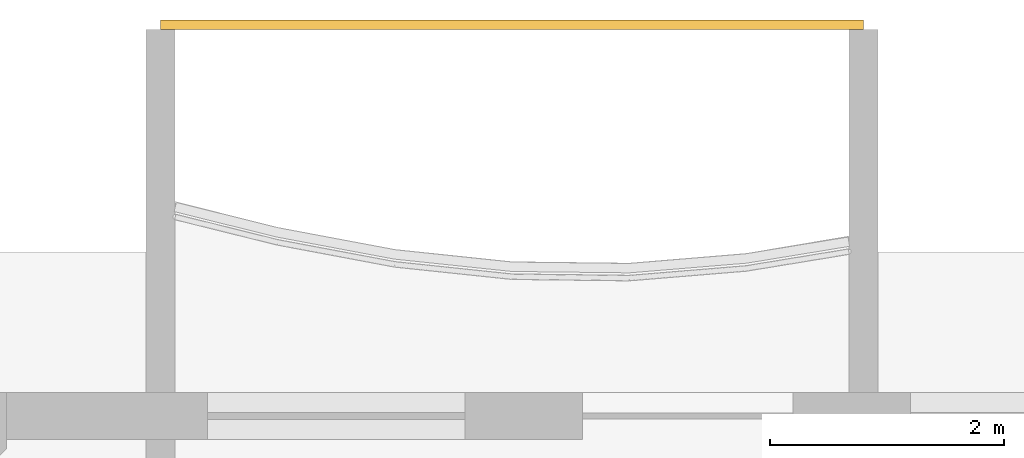
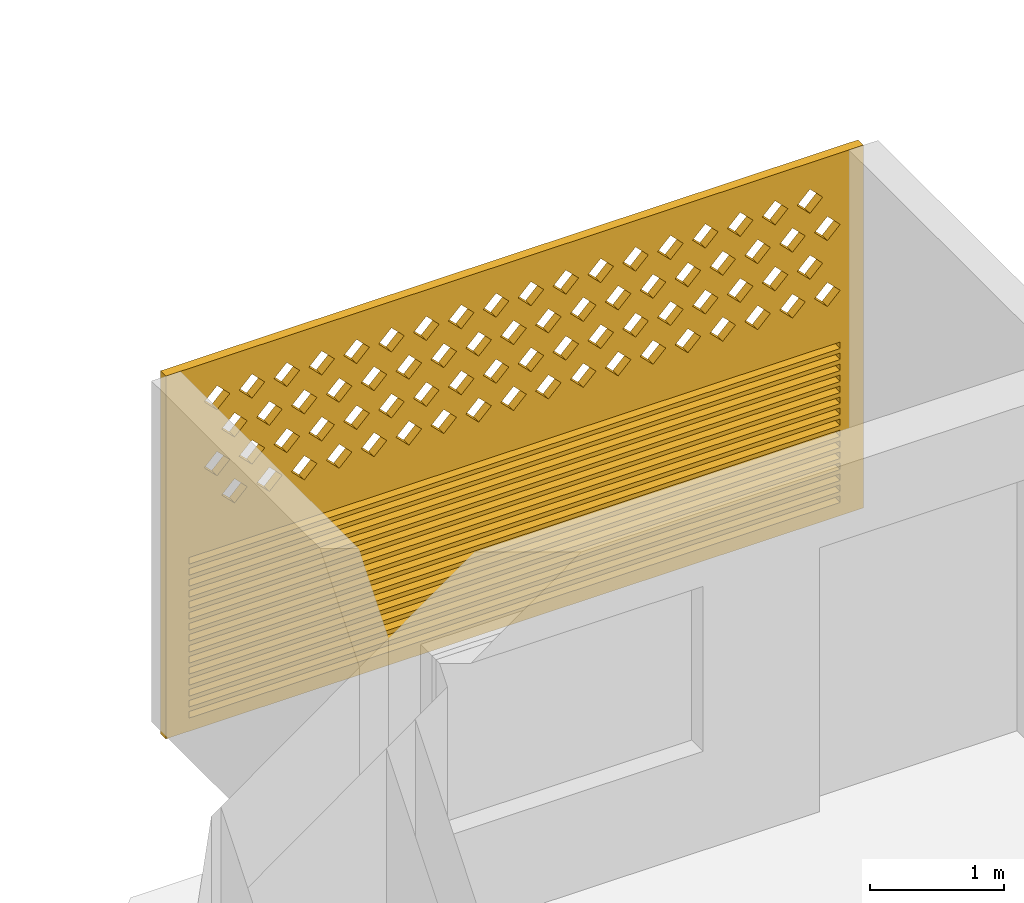
# One storey, part 16 of 26: 1 covering.
"""IFC4 building model written with IfcOpenShell, lengths in metres."""

from ifc_helpers import new_model, si_unit, direction, frame, origin, place, context, subcontext, project, spatial, polyline, outline, extrude, source, transform, mapped, material, material_profile, profile_set, type_object, element, save


model = new_model("IFC4")

# Units and contexts
model_context = context("Model", 3, precision=1e-05, world=origin(), true_north=direction((0.0, 1.0)))
body_context = subcontext(model_context, "Body", "Model", "MODEL_VIEW")
ifc_project = project(units=[si_unit("LENGTHUNIT", "METRE"), si_unit("AREAUNIT", "SQUARE_METRE"), si_unit("VOLUMEUNIT", "CUBIC_METRE"), si_unit("PLANEANGLEUNIT", "RADIAN"), si_unit("MASSUNIT", "GRAM", prefix="KILO")], contexts=[model_context])

# Site, building, storey
site_placement = place(None, origin())
site = spatial("IfcSite", under=ifc_project, at=site_placement, CompositionType="ELEMENT")
building_placement = place(site_placement, origin())
building = spatial("IfcBuilding", under=site, at=building_placement, Name="Poui Terraces", CompositionType="ELEMENT")
storey_placement = place(building_placement, frame((0.0, 0.0, 171.89990234375)))
storey = spatial("IfcBuildingStorey", under=building, at=storey_placement, Name="L47", CompositionType="ELEMENT", Elevation=171.89990234375)

# Covering
ifc_material = material(Name="Terracotta screen", Category="masonry")
ifc_material_profile = material_profile(ifc_material, outline(polyline([(-3.0, -1.64990234375), (3.0, -1.64990234375), (3.0, 1.64990234375), (-3.0, 1.64990234375), (-3.0, -1.64990234375)]), holes=[polyline([(-2.800048828125, 0.39990234375), (-2.68994140625, 0.2900390625), (-2.580078125, 0.39990234375), (-2.68994140625, 0.510009765625), (-2.800048828125, 0.39990234375)]), polyline([(-2.5, 0.39990234375), (-2.389892578125, 0.2900390625), (-2.280029296875, 0.39990234375), (-2.389892578125, 0.510009765625), (-2.5, 0.39990234375)]), polyline([(-2.199951171875, 0.39990234375), (-2.090087890625, 0.2900390625), (-1.97998046875, 0.39990234375), (-2.090087890625, 0.510009765625), (-2.199951171875, 0.39990234375)]), polyline([(-1.89990234375, 0.39990234375), (-1.7900390625, 0.2900390625), (-1.679931640625, 0.39990234375), (-1.7900390625, 0.510009765625), (-1.89990234375, 0.39990234375)]), polyline([(-1.60009765625, 0.39990234375), (-1.489990234375, 0.2900390625), (-1.3798828125, 0.39990234375), (-1.489990234375, 0.510009765625), (-1.60009765625, 0.39990234375)]), polyline([(-1.300048828125, 0.39990234375), (-1.18994140625, 0.2900390625), (-1.080078125, 0.39990234375), (-1.18994140625, 0.510009765625), (-1.300048828125, 0.39990234375)]), polyline([(-1.0, 0.39990234375), (-0.889892578125, 0.2900390625), (-0.780029296875, 0.39990234375), (-0.889892578125, 0.510009765625), (-1.0, 0.39990234375)]), polyline([(-0.699951171875, 0.39990234375), (-0.590087890625, 0.2900390625), (-0.47998046875, 0.39990234375), (-0.590087890625, 0.510009765625), (-0.699951171875, 0.39990234375)]), polyline([(-0.39990234375, 0.39990234375), (-0.2900390625, 0.2900390625), (-0.179931640625, 0.39990234375), (-0.2900390625, 0.510009765625), (-0.39990234375, 0.39990234375)]), polyline([(-0.10009765625, 0.39990234375), (0.010009765625, 0.2900390625), (0.1201171875, 0.39990234375), (0.010009765625, 0.510009765625), (-0.10009765625, 0.39990234375)]), polyline([(0.199951171875, 0.39990234375), (0.31005859375, 0.2900390625), (0.419921875, 0.39990234375), (0.31005859375, 0.510009765625), (0.199951171875, 0.39990234375)]), polyline([(0.5, 0.39990234375), (0.610107421875, 0.2900390625), (0.719970703125, 0.39990234375), (0.610107421875, 0.510009765625), (0.5, 0.39990234375)]), polyline([(0.800048828125, 0.39990234375), (0.909912109375, 0.2900390625), (1.02001953125, 0.39990234375), (0.909912109375, 0.510009765625), (0.800048828125, 0.39990234375)]), polyline([(1.10009765625, 0.39990234375), (1.2099609375, 0.2900390625), (1.320068359375, 0.39990234375), (1.2099609375, 0.510009765625), (1.10009765625, 0.39990234375)]), polyline([(1.39990234375, 0.39990234375), (1.510009765625, 0.2900390625), (1.6201171875, 0.39990234375), (1.510009765625, 0.510009765625), (1.39990234375, 0.39990234375)]), polyline([(1.699951171875, 0.39990234375), (1.81005859375, 0.2900390625), (1.919921875, 0.39990234375), (1.81005859375, 0.510009765625), (1.699951171875, 0.39990234375)]), polyline([(2.0, 0.39990234375), (2.110107421875, 0.2900390625), (2.219970703125, 0.39990234375), (2.110107421875, 0.510009765625), (2.0, 0.39990234375)]), polyline([(2.300048828125, 0.39990234375), (2.409912109375, 0.2900390625), (2.52001953125, 0.39990234375), (2.409912109375, 0.510009765625), (2.300048828125, 0.39990234375)]), polyline([(-2.64990234375, 0.699951171875), (-2.5400390625, 0.590087890625), (-2.429931640625, 0.699951171875), (-2.5400390625, 0.81005859375), (-2.64990234375, 0.699951171875)]), polyline([(-2.35009765625, 0.699951171875), (-2.239990234375, 0.590087890625), (-2.1298828125, 0.699951171875), (-2.239990234375, 0.81005859375), (-2.35009765625, 0.699951171875)]), polyline([(-2.050048828125, 0.699951171875), (-1.93994140625, 0.590087890625), (-1.830078125, 0.699951171875), (-1.93994140625, 0.81005859375), (-2.050048828125, 0.699951171875)]), polyline([(-1.75, 0.699951171875), (-1.639892578125, 0.590087890625), (-1.530029296875, 0.699951171875), (-1.639892578125, 0.81005859375), (-1.75, 0.699951171875)]), polyline([(-1.449951171875, 0.699951171875), (-1.340087890625, 0.590087890625), (-1.22998046875, 0.699951171875), (-1.340087890625, 0.81005859375), (-1.449951171875, 0.699951171875)]), polyline([(-1.14990234375, 0.699951171875), (-1.0400390625, 0.590087890625), (-0.929931640625, 0.699951171875), (-1.0400390625, 0.81005859375), (-1.14990234375, 0.699951171875)]), polyline([(-0.85009765625, 0.699951171875), (-0.739990234375, 0.590087890625), (-0.6298828125, 0.699951171875), (-0.739990234375, 0.81005859375), (-0.85009765625, 0.699951171875)]), polyline([(-0.550048828125, 0.699951171875), (-0.43994140625, 0.590087890625), (-0.330078125, 0.699951171875), (-0.43994140625, 0.81005859375), (-0.550048828125, 0.699951171875)]), polyline([(-0.25, 0.699951171875), (-0.139892578125, 0.590087890625), (-0.030029296875, 0.699951171875), (-0.139892578125, 0.81005859375), (-0.25, 0.699951171875)]), polyline([(0.050048828125, 0.699951171875), (0.159912109375, 0.590087890625), (0.27001953125, 0.699951171875), (0.159912109375, 0.81005859375), (0.050048828125, 0.699951171875)]), polyline([(0.35009765625, 0.699951171875), (0.4599609375, 0.590087890625), (0.570068359375, 0.699951171875), (0.4599609375, 0.81005859375), (0.35009765625, 0.699951171875)]), polyline([(0.64990234375, 0.699951171875), (0.760009765625, 0.590087890625), (0.8701171875, 0.699951171875), (0.760009765625, 0.81005859375), (0.64990234375, 0.699951171875)]), polyline([(0.949951171875, 0.699951171875), (1.06005859375, 0.590087890625), (1.169921875, 0.699951171875), (1.06005859375, 0.81005859375), (0.949951171875, 0.699951171875)]), polyline([(1.25, 0.699951171875), (1.360107421875, 0.590087890625), (1.469970703125, 0.699951171875), (1.360107421875, 0.81005859375), (1.25, 0.699951171875)]), polyline([(1.550048828125, 0.699951171875), (1.659912109375, 0.590087890625), (1.77001953125, 0.699951171875), (1.659912109375, 0.81005859375), (1.550048828125, 0.699951171875)]), polyline([(1.85009765625, 0.699951171875), (1.9599609375, 0.590087890625), (2.070068359375, 0.699951171875), (1.9599609375, 0.81005859375), (1.85009765625, 0.699951171875)]), polyline([(2.14990234375, 0.699951171875), (2.260009765625, 0.590087890625), (2.3701171875, 0.699951171875), (2.260009765625, 0.81005859375), (2.14990234375, 0.699951171875)]), polyline([(2.449951171875, 0.699951171875), (2.56005859375, 0.590087890625), (2.669921875, 0.699951171875), (2.56005859375, 0.81005859375), (2.449951171875, 0.699951171875)]), polyline([(-2.800048828125, 1.0), (-2.68994140625, 0.889892578125), (-2.580078125, 1.0), (-2.68994140625, 1.110107421875), (-2.800048828125, 1.0)]), polyline([(-2.5, 1.0), (-2.389892578125, 0.889892578125), (-2.280029296875, 1.0), (-2.389892578125, 1.110107421875), (-2.5, 1.0)]), polyline([(-2.199951171875, 1.0), (-2.090087890625, 0.889892578125), (-1.97998046875, 1.0), (-2.090087890625, 1.110107421875), (-2.199951171875, 1.0)]), polyline([(-1.89990234375, 1.0), (-1.7900390625, 0.889892578125), (-1.679931640625, 1.0), (-1.7900390625, 1.110107421875), (-1.89990234375, 1.0)]), polyline([(-1.60009765625, 1.0), (-1.489990234375, 0.889892578125), (-1.3798828125, 1.0), (-1.489990234375, 1.110107421875), (-1.60009765625, 1.0)]), polyline([(-1.300048828125, 1.0), (-1.18994140625, 0.889892578125), (-1.080078125, 1.0), (-1.18994140625, 1.110107421875), (-1.300048828125, 1.0)]), polyline([(-1.0, 1.0), (-0.889892578125, 0.889892578125), (-0.780029296875, 1.0), (-0.889892578125, 1.110107421875), (-1.0, 1.0)]), polyline([(-0.699951171875, 1.0), (-0.590087890625, 0.889892578125), (-0.47998046875, 1.0), (-0.590087890625, 1.110107421875), (-0.699951171875, 1.0)]), polyline([(-0.39990234375, 1.0), (-0.2900390625, 0.889892578125), (-0.179931640625, 1.0), (-0.2900390625, 1.110107421875), (-0.39990234375, 1.0)]), polyline([(-0.10009765625, 1.0), (0.010009765625, 0.889892578125), (0.1201171875, 1.0), (0.010009765625, 1.110107421875), (-0.10009765625, 1.0)]), polyline([(0.199951171875, 1.0), (0.31005859375, 0.889892578125), (0.419921875, 1.0), (0.31005859375, 1.110107421875), (0.199951171875, 1.0)]), polyline([(0.5, 1.0), (0.610107421875, 0.889892578125), (0.719970703125, 1.0), (0.610107421875, 1.110107421875), (0.5, 1.0)]), polyline([(0.800048828125, 1.0), (0.909912109375, 0.889892578125), (1.02001953125, 1.0), (0.909912109375, 1.110107421875), (0.800048828125, 1.0)]), polyline([(1.10009765625, 1.0), (1.2099609375, 0.889892578125), (1.320068359375, 1.0), (1.2099609375, 1.110107421875), (1.10009765625, 1.0)]), polyline([(1.39990234375, 1.0), (1.510009765625, 0.889892578125), (1.6201171875, 1.0), (1.510009765625, 1.110107421875), (1.39990234375, 1.0)]), polyline([(1.699951171875, 1.0), (1.81005859375, 0.889892578125), (1.919921875, 1.0), (1.81005859375, 1.110107421875), (1.699951171875, 1.0)]), polyline([(2.0, 1.0), (2.110107421875, 0.889892578125), (2.219970703125, 1.0), (2.110107421875, 1.110107421875), (2.0, 1.0)]), polyline([(2.300048828125, 1.0), (2.409912109375, 0.889892578125), (2.52001953125, 1.0), (2.409912109375, 1.110107421875), (2.300048828125, 1.0)]), polyline([(-2.64990234375, 1.300048828125), (-2.5400390625, 1.18994140625), (-2.429931640625, 1.300048828125), (-2.5400390625, 1.409912109375), (-2.64990234375, 1.300048828125)]), polyline([(-2.35009765625, 1.300048828125), (-2.239990234375, 1.18994140625), (-2.1298828125, 1.300048828125), (-2.239990234375, 1.409912109375), (-2.35009765625, 1.300048828125)]), polyline([(-2.050048828125, 1.300048828125), (-1.93994140625, 1.18994140625), (-1.830078125, 1.300048828125), (-1.93994140625, 1.409912109375), (-2.050048828125, 1.300048828125)]), polyline([(-1.75, 1.300048828125), (-1.639892578125, 1.18994140625), (-1.530029296875, 1.300048828125), (-1.639892578125, 1.409912109375), (-1.75, 1.300048828125)]), polyline([(-1.449951171875, 1.300048828125), (-1.340087890625, 1.18994140625), (-1.22998046875, 1.300048828125), (-1.340087890625, 1.409912109375), (-1.449951171875, 1.300048828125)]), polyline([(-1.14990234375, 1.300048828125), (-1.0400390625, 1.18994140625), (-0.929931640625, 1.300048828125), (-1.0400390625, 1.409912109375), (-1.14990234375, 1.300048828125)]), polyline([(-0.85009765625, 1.300048828125), (-0.739990234375, 1.18994140625), (-0.6298828125, 1.300048828125), (-0.739990234375, 1.409912109375), (-0.85009765625, 1.300048828125)]), polyline([(-0.550048828125, 1.300048828125), (-0.43994140625, 1.18994140625), (-0.330078125, 1.300048828125), (-0.43994140625, 1.409912109375), (-0.550048828125, 1.300048828125)]), polyline([(-0.25, 1.300048828125), (-0.139892578125, 1.18994140625), (-0.030029296875, 1.300048828125), (-0.139892578125, 1.409912109375), (-0.25, 1.300048828125)]), polyline([(0.050048828125, 1.300048828125), (0.159912109375, 1.18994140625), (0.27001953125, 1.300048828125), (0.159912109375, 1.409912109375), (0.050048828125, 1.300048828125)]), polyline([(0.35009765625, 1.300048828125), (0.4599609375, 1.18994140625), (0.570068359375, 1.300048828125), (0.4599609375, 1.409912109375), (0.35009765625, 1.300048828125)]), polyline([(0.64990234375, 1.300048828125), (0.760009765625, 1.18994140625), (0.8701171875, 1.300048828125), (0.760009765625, 1.409912109375), (0.64990234375, 1.300048828125)]), polyline([(0.949951171875, 1.300048828125), (1.06005859375, 1.18994140625), (1.169921875, 1.300048828125), (1.06005859375, 1.409912109375), (0.949951171875, 1.300048828125)]), polyline([(1.25, 1.300048828125), (1.360107421875, 1.18994140625), (1.469970703125, 1.300048828125), (1.360107421875, 1.409912109375), (1.25, 1.300048828125)]), polyline([(1.550048828125, 1.300048828125), (1.659912109375, 1.18994140625), (1.77001953125, 1.300048828125), (1.659912109375, 1.409912109375), (1.550048828125, 1.300048828125)]), polyline([(1.85009765625, 1.300048828125), (1.9599609375, 1.18994140625), (2.070068359375, 1.300048828125), (1.9599609375, 1.409912109375), (1.85009765625, 1.300048828125)]), polyline([(2.14990234375, 1.300048828125), (2.260009765625, 1.18994140625), (2.3701171875, 1.300048828125), (2.260009765625, 1.409912109375), (2.14990234375, 1.300048828125)]), polyline([(2.449951171875, 1.300048828125), (2.56005859375, 1.18994140625), (2.669921875, 1.300048828125), (2.56005859375, 1.409912109375), (2.449951171875, 1.300048828125)]), polyline([(-2.800048828125, -1.530029296875), (2.800048828125, -1.530029296875), (2.800048828125, -1.469970703125), (-2.800048828125, -1.469970703125), (-2.800048828125, -1.530029296875)]), polyline([(-2.800048828125, -1.429931640625), (2.800048828125, -1.429931640625), (2.800048828125, -1.3701171875), (-2.800048828125, -1.3701171875), (-2.800048828125, -1.429931640625)]), polyline([(-2.800048828125, -1.330078125), (2.800048828125, -1.330078125), (2.800048828125, -1.27001953125), (-2.800048828125, -1.27001953125), (-2.800048828125, -1.330078125)]), polyline([(-2.800048828125, -1.22998046875), (2.800048828125, -1.22998046875), (2.800048828125, -1.169921875), (-2.800048828125, -1.169921875), (-2.800048828125, -1.22998046875)]), polyline([(-2.800048828125, -1.1298828125), (2.800048828125, -1.1298828125), (2.800048828125, -1.070068359375), (-2.800048828125, -1.070068359375), (-2.800048828125, -1.1298828125)]), polyline([(-2.800048828125, -1.030029296875), (2.800048828125, -1.030029296875), (2.800048828125, -0.969970703125), (-2.800048828125, -0.969970703125), (-2.800048828125, -1.030029296875)]), polyline([(-2.800048828125, -0.929931640625), (2.800048828125, -0.929931640625), (2.800048828125, -0.8701171875), (-2.800048828125, -0.8701171875), (-2.800048828125, -0.929931640625)]), polyline([(-2.800048828125, -0.830078125), (2.800048828125, -0.830078125), (2.800048828125, -0.77001953125), (-2.800048828125, -0.77001953125), (-2.800048828125, -0.830078125)]), polyline([(-2.800048828125, -0.72998046875), (2.800048828125, -0.72998046875), (2.800048828125, -0.669921875), (-2.800048828125, -0.669921875), (-2.800048828125, -0.72998046875)]), polyline([(-2.800048828125, -0.6298828125), (2.800048828125, -0.6298828125), (2.800048828125, -0.570068359375), (-2.800048828125, -0.570068359375), (-2.800048828125, -0.6298828125)]), polyline([(-2.800048828125, -0.530029296875), (2.800048828125, -0.530029296875), (2.800048828125, -0.469970703125), (-2.800048828125, -0.469970703125), (-2.800048828125, -0.530029296875)]), polyline([(-2.800048828125, -0.429931640625), (2.800048828125, -0.429931640625), (2.800048828125, -0.3701171875), (-2.800048828125, -0.3701171875), (-2.800048828125, -0.429931640625)]), polyline([(-2.800048828125, -0.330078125), (2.800048828125, -0.330078125), (2.800048828125, -0.27001953125), (-2.800048828125, -0.27001953125), (-2.800048828125, -0.330078125)]), polyline([(-2.800048828125, -0.22998046875), (2.800048828125, -0.22998046875), (2.800048828125, -0.169921875), (-2.800048828125, -0.169921875), (-2.800048828125, -0.22998046875)]), polyline([(-2.800048828125, -0.1298828125), (2.800048828125, -0.1298828125), (2.800048828125, -0.070068359375), (-2.800048828125, -0.070068359375), (-2.800048828125, -0.1298828125)])]), Name="TERRACOTTA SCREEN AND JALOUSIE LOUVRE 6000X3300")
ifc_profile_set = profile_set([ifc_material_profile], Name="Terracotta screen")
covering_type = type_object("IfcCoveringType", Name="TERRACOTTA SCREEN AND JALOUSIE LOUVRE 6000X3300", PredefinedType="CLADDING", material=ifc_profile_set)
shared_shape = source(origin(), body_context, "Body", "SweptSolid", [
    extrude(outline(polyline([(-3.0, -1.64990234375), (3.0, -1.64990234375), (3.0, 1.64990234375), (-3.0, 1.64990234375), (-3.0, -1.64990234375)]), holes=[polyline([(-2.800048828125, 0.39990234375), (-2.68994140625, 0.2900390625), (-2.580078125, 0.39990234375), (-2.68994140625, 0.510009765625), (-2.800048828125, 0.39990234375)]), polyline([(-2.5, 0.39990234375), (-2.389892578125, 0.2900390625), (-2.280029296875, 0.39990234375), (-2.389892578125, 0.510009765625), (-2.5, 0.39990234375)]), polyline([(-2.199951171875, 0.39990234375), (-2.090087890625, 0.2900390625), (-1.97998046875, 0.39990234375), (-2.090087890625, 0.510009765625), (-2.199951171875, 0.39990234375)]), polyline([(-1.89990234375, 0.39990234375), (-1.7900390625, 0.2900390625), (-1.679931640625, 0.39990234375), (-1.7900390625, 0.510009765625), (-1.89990234375, 0.39990234375)]), polyline([(-1.60009765625, 0.39990234375), (-1.489990234375, 0.2900390625), (-1.3798828125, 0.39990234375), (-1.489990234375, 0.510009765625), (-1.60009765625, 0.39990234375)]), polyline([(-1.300048828125, 0.39990234375), (-1.18994140625, 0.2900390625), (-1.080078125, 0.39990234375), (-1.18994140625, 0.510009765625), (-1.300048828125, 0.39990234375)]), polyline([(-1.0, 0.39990234375), (-0.889892578125, 0.2900390625), (-0.780029296875, 0.39990234375), (-0.889892578125, 0.510009765625), (-1.0, 0.39990234375)]), polyline([(-0.699951171875, 0.39990234375), (-0.590087890625, 0.2900390625), (-0.47998046875, 0.39990234375), (-0.590087890625, 0.510009765625), (-0.699951171875, 0.39990234375)]), polyline([(-0.39990234375, 0.39990234375), (-0.2900390625, 0.2900390625), (-0.179931640625, 0.39990234375), (-0.2900390625, 0.510009765625), (-0.39990234375, 0.39990234375)]), polyline([(-0.10009765625, 0.39990234375), (0.010009765625, 0.2900390625), (0.1201171875, 0.39990234375), (0.010009765625, 0.510009765625), (-0.10009765625, 0.39990234375)]), polyline([(0.199951171875, 0.39990234375), (0.31005859375, 0.2900390625), (0.419921875, 0.39990234375), (0.31005859375, 0.510009765625), (0.199951171875, 0.39990234375)]), polyline([(0.5, 0.39990234375), (0.610107421875, 0.2900390625), (0.719970703125, 0.39990234375), (0.610107421875, 0.510009765625), (0.5, 0.39990234375)]), polyline([(0.800048828125, 0.39990234375), (0.909912109375, 0.2900390625), (1.02001953125, 0.39990234375), (0.909912109375, 0.510009765625), (0.800048828125, 0.39990234375)]), polyline([(1.10009765625, 0.39990234375), (1.2099609375, 0.2900390625), (1.320068359375, 0.39990234375), (1.2099609375, 0.510009765625), (1.10009765625, 0.39990234375)]), polyline([(1.39990234375, 0.39990234375), (1.510009765625, 0.2900390625), (1.6201171875, 0.39990234375), (1.510009765625, 0.510009765625), (1.39990234375, 0.39990234375)]), polyline([(1.699951171875, 0.39990234375), (1.81005859375, 0.2900390625), (1.919921875, 0.39990234375), (1.81005859375, 0.510009765625), (1.699951171875, 0.39990234375)]), polyline([(2.0, 0.39990234375), (2.110107421875, 0.2900390625), (2.219970703125, 0.39990234375), (2.110107421875, 0.510009765625), (2.0, 0.39990234375)]), polyline([(2.300048828125, 0.39990234375), (2.409912109375, 0.2900390625), (2.52001953125, 0.39990234375), (2.409912109375, 0.510009765625), (2.300048828125, 0.39990234375)]), polyline([(-2.64990234375, 0.699951171875), (-2.5400390625, 0.590087890625), (-2.429931640625, 0.699951171875), (-2.5400390625, 0.81005859375), (-2.64990234375, 0.699951171875)]), polyline([(-2.35009765625, 0.699951171875), (-2.239990234375, 0.590087890625), (-2.1298828125, 0.699951171875), (-2.239990234375, 0.81005859375), (-2.35009765625, 0.699951171875)]), polyline([(-2.050048828125, 0.699951171875), (-1.93994140625, 0.590087890625), (-1.830078125, 0.699951171875), (-1.93994140625, 0.81005859375), (-2.050048828125, 0.699951171875)]), polyline([(-1.75, 0.699951171875), (-1.639892578125, 0.590087890625), (-1.530029296875, 0.699951171875), (-1.639892578125, 0.81005859375), (-1.75, 0.699951171875)]), polyline([(-1.449951171875, 0.699951171875), (-1.340087890625, 0.590087890625), (-1.22998046875, 0.699951171875), (-1.340087890625, 0.81005859375), (-1.449951171875, 0.699951171875)]), polyline([(-1.14990234375, 0.699951171875), (-1.0400390625, 0.590087890625), (-0.929931640625, 0.699951171875), (-1.0400390625, 0.81005859375), (-1.14990234375, 0.699951171875)]), polyline([(-0.85009765625, 0.699951171875), (-0.739990234375, 0.590087890625), (-0.6298828125, 0.699951171875), (-0.739990234375, 0.81005859375), (-0.85009765625, 0.699951171875)]), polyline([(-0.550048828125, 0.699951171875), (-0.43994140625, 0.590087890625), (-0.330078125, 0.699951171875), (-0.43994140625, 0.81005859375), (-0.550048828125, 0.699951171875)]), polyline([(-0.25, 0.699951171875), (-0.139892578125, 0.590087890625), (-0.030029296875, 0.699951171875), (-0.139892578125, 0.81005859375), (-0.25, 0.699951171875)]), polyline([(0.050048828125, 0.699951171875), (0.159912109375, 0.590087890625), (0.27001953125, 0.699951171875), (0.159912109375, 0.81005859375), (0.050048828125, 0.699951171875)]), polyline([(0.35009765625, 0.699951171875), (0.4599609375, 0.590087890625), (0.570068359375, 0.699951171875), (0.4599609375, 0.81005859375), (0.35009765625, 0.699951171875)]), polyline([(0.64990234375, 0.699951171875), (0.760009765625, 0.590087890625), (0.8701171875, 0.699951171875), (0.760009765625, 0.81005859375), (0.64990234375, 0.699951171875)]), polyline([(0.949951171875, 0.699951171875), (1.06005859375, 0.590087890625), (1.169921875, 0.699951171875), (1.06005859375, 0.81005859375), (0.949951171875, 0.699951171875)]), polyline([(1.25, 0.699951171875), (1.360107421875, 0.590087890625), (1.469970703125, 0.699951171875), (1.360107421875, 0.81005859375), (1.25, 0.699951171875)]), polyline([(1.550048828125, 0.699951171875), (1.659912109375, 0.590087890625), (1.77001953125, 0.699951171875), (1.659912109375, 0.81005859375), (1.550048828125, 0.699951171875)]), polyline([(1.85009765625, 0.699951171875), (1.9599609375, 0.590087890625), (2.070068359375, 0.699951171875), (1.9599609375, 0.81005859375), (1.85009765625, 0.699951171875)]), polyline([(2.14990234375, 0.699951171875), (2.260009765625, 0.590087890625), (2.3701171875, 0.699951171875), (2.260009765625, 0.81005859375), (2.14990234375, 0.699951171875)]), polyline([(2.449951171875, 0.699951171875), (2.56005859375, 0.590087890625), (2.669921875, 0.699951171875), (2.56005859375, 0.81005859375), (2.449951171875, 0.699951171875)]), polyline([(-2.800048828125, 1.0), (-2.68994140625, 0.889892578125), (-2.580078125, 1.0), (-2.68994140625, 1.110107421875), (-2.800048828125, 1.0)]), polyline([(-2.5, 1.0), (-2.389892578125, 0.889892578125), (-2.280029296875, 1.0), (-2.389892578125, 1.110107421875), (-2.5, 1.0)]), polyline([(-2.199951171875, 1.0), (-2.090087890625, 0.889892578125), (-1.97998046875, 1.0), (-2.090087890625, 1.110107421875), (-2.199951171875, 1.0)]), polyline([(-1.89990234375, 1.0), (-1.7900390625, 0.889892578125), (-1.679931640625, 1.0), (-1.7900390625, 1.110107421875), (-1.89990234375, 1.0)]), polyline([(-1.60009765625, 1.0), (-1.489990234375, 0.889892578125), (-1.3798828125, 1.0), (-1.489990234375, 1.110107421875), (-1.60009765625, 1.0)]), polyline([(-1.300048828125, 1.0), (-1.18994140625, 0.889892578125), (-1.080078125, 1.0), (-1.18994140625, 1.110107421875), (-1.300048828125, 1.0)]), polyline([(-1.0, 1.0), (-0.889892578125, 0.889892578125), (-0.780029296875, 1.0), (-0.889892578125, 1.110107421875), (-1.0, 1.0)]), polyline([(-0.699951171875, 1.0), (-0.590087890625, 0.889892578125), (-0.47998046875, 1.0), (-0.590087890625, 1.110107421875), (-0.699951171875, 1.0)]), polyline([(-0.39990234375, 1.0), (-0.2900390625, 0.889892578125), (-0.179931640625, 1.0), (-0.2900390625, 1.110107421875), (-0.39990234375, 1.0)]), polyline([(-0.10009765625, 1.0), (0.010009765625, 0.889892578125), (0.1201171875, 1.0), (0.010009765625, 1.110107421875), (-0.10009765625, 1.0)]), polyline([(0.199951171875, 1.0), (0.31005859375, 0.889892578125), (0.419921875, 1.0), (0.31005859375, 1.110107421875), (0.199951171875, 1.0)]), polyline([(0.5, 1.0), (0.610107421875, 0.889892578125), (0.719970703125, 1.0), (0.610107421875, 1.110107421875), (0.5, 1.0)]), polyline([(0.800048828125, 1.0), (0.909912109375, 0.889892578125), (1.02001953125, 1.0), (0.909912109375, 1.110107421875), (0.800048828125, 1.0)]), polyline([(1.10009765625, 1.0), (1.2099609375, 0.889892578125), (1.320068359375, 1.0), (1.2099609375, 1.110107421875), (1.10009765625, 1.0)]), polyline([(1.39990234375, 1.0), (1.510009765625, 0.889892578125), (1.6201171875, 1.0), (1.510009765625, 1.110107421875), (1.39990234375, 1.0)]), polyline([(1.699951171875, 1.0), (1.81005859375, 0.889892578125), (1.919921875, 1.0), (1.81005859375, 1.110107421875), (1.699951171875, 1.0)]), polyline([(2.0, 1.0), (2.110107421875, 0.889892578125), (2.219970703125, 1.0), (2.110107421875, 1.110107421875), (2.0, 1.0)]), polyline([(2.300048828125, 1.0), (2.409912109375, 0.889892578125), (2.52001953125, 1.0), (2.409912109375, 1.110107421875), (2.300048828125, 1.0)]), polyline([(-2.64990234375, 1.300048828125), (-2.5400390625, 1.18994140625), (-2.429931640625, 1.300048828125), (-2.5400390625, 1.409912109375), (-2.64990234375, 1.300048828125)]), polyline([(-2.35009765625, 1.300048828125), (-2.239990234375, 1.18994140625), (-2.1298828125, 1.300048828125), (-2.239990234375, 1.409912109375), (-2.35009765625, 1.300048828125)]), polyline([(-2.050048828125, 1.300048828125), (-1.93994140625, 1.18994140625), (-1.830078125, 1.300048828125), (-1.93994140625, 1.409912109375), (-2.050048828125, 1.300048828125)]), polyline([(-1.75, 1.300048828125), (-1.639892578125, 1.18994140625), (-1.530029296875, 1.300048828125), (-1.639892578125, 1.409912109375), (-1.75, 1.300048828125)]), polyline([(-1.449951171875, 1.300048828125), (-1.340087890625, 1.18994140625), (-1.22998046875, 1.300048828125), (-1.340087890625, 1.409912109375), (-1.449951171875, 1.300048828125)]), polyline([(-1.14990234375, 1.300048828125), (-1.0400390625, 1.18994140625), (-0.929931640625, 1.300048828125), (-1.0400390625, 1.409912109375), (-1.14990234375, 1.300048828125)]), polyline([(-0.85009765625, 1.300048828125), (-0.739990234375, 1.18994140625), (-0.6298828125, 1.300048828125), (-0.739990234375, 1.409912109375), (-0.85009765625, 1.300048828125)]), polyline([(-0.550048828125, 1.300048828125), (-0.43994140625, 1.18994140625), (-0.330078125, 1.300048828125), (-0.43994140625, 1.409912109375), (-0.550048828125, 1.300048828125)]), polyline([(-0.25, 1.300048828125), (-0.139892578125, 1.18994140625), (-0.030029296875, 1.300048828125), (-0.139892578125, 1.409912109375), (-0.25, 1.300048828125)]), polyline([(0.050048828125, 1.300048828125), (0.159912109375, 1.18994140625), (0.27001953125, 1.300048828125), (0.159912109375, 1.409912109375), (0.050048828125, 1.300048828125)]), polyline([(0.35009765625, 1.300048828125), (0.4599609375, 1.18994140625), (0.570068359375, 1.300048828125), (0.4599609375, 1.409912109375), (0.35009765625, 1.300048828125)]), polyline([(0.64990234375, 1.300048828125), (0.760009765625, 1.18994140625), (0.8701171875, 1.300048828125), (0.760009765625, 1.409912109375), (0.64990234375, 1.300048828125)]), polyline([(0.949951171875, 1.300048828125), (1.06005859375, 1.18994140625), (1.169921875, 1.300048828125), (1.06005859375, 1.409912109375), (0.949951171875, 1.300048828125)]), polyline([(1.25, 1.300048828125), (1.360107421875, 1.18994140625), (1.469970703125, 1.300048828125), (1.360107421875, 1.409912109375), (1.25, 1.300048828125)]), polyline([(1.550048828125, 1.300048828125), (1.659912109375, 1.18994140625), (1.77001953125, 1.300048828125), (1.659912109375, 1.409912109375), (1.550048828125, 1.300048828125)]), polyline([(1.85009765625, 1.300048828125), (1.9599609375, 1.18994140625), (2.070068359375, 1.300048828125), (1.9599609375, 1.409912109375), (1.85009765625, 1.300048828125)]), polyline([(2.14990234375, 1.300048828125), (2.260009765625, 1.18994140625), (2.3701171875, 1.300048828125), (2.260009765625, 1.409912109375), (2.14990234375, 1.300048828125)]), polyline([(2.449951171875, 1.300048828125), (2.56005859375, 1.18994140625), (2.669921875, 1.300048828125), (2.56005859375, 1.409912109375), (2.449951171875, 1.300048828125)]), polyline([(-2.800048828125, -1.530029296875), (2.800048828125, -1.530029296875), (2.800048828125, -1.469970703125), (-2.800048828125, -1.469970703125), (-2.800048828125, -1.530029296875)]), polyline([(-2.800048828125, -1.429931640625), (2.800048828125, -1.429931640625), (2.800048828125, -1.3701171875), (-2.800048828125, -1.3701171875), (-2.800048828125, -1.429931640625)]), polyline([(-2.800048828125, -1.330078125), (2.800048828125, -1.330078125), (2.800048828125, -1.27001953125), (-2.800048828125, -1.27001953125), (-2.800048828125, -1.330078125)]), polyline([(-2.800048828125, -1.22998046875), (2.800048828125, -1.22998046875), (2.800048828125, -1.169921875), (-2.800048828125, -1.169921875), (-2.800048828125, -1.22998046875)]), polyline([(-2.800048828125, -1.1298828125), (2.800048828125, -1.1298828125), (2.800048828125, -1.070068359375), (-2.800048828125, -1.070068359375), (-2.800048828125, -1.1298828125)]), polyline([(-2.800048828125, -1.030029296875), (2.800048828125, -1.030029296875), (2.800048828125, -0.969970703125), (-2.800048828125, -0.969970703125), (-2.800048828125, -1.030029296875)]), polyline([(-2.800048828125, -0.929931640625), (2.800048828125, -0.929931640625), (2.800048828125, -0.8701171875), (-2.800048828125, -0.8701171875), (-2.800048828125, -0.929931640625)]), polyline([(-2.800048828125, -0.830078125), (2.800048828125, -0.830078125), (2.800048828125, -0.77001953125), (-2.800048828125, -0.77001953125), (-2.800048828125, -0.830078125)]), polyline([(-2.800048828125, -0.72998046875), (2.800048828125, -0.72998046875), (2.800048828125, -0.669921875), (-2.800048828125, -0.669921875), (-2.800048828125, -0.72998046875)]), polyline([(-2.800048828125, -0.6298828125), (2.800048828125, -0.6298828125), (2.800048828125, -0.570068359375), (-2.800048828125, -0.570068359375), (-2.800048828125, -0.6298828125)]), polyline([(-2.800048828125, -0.530029296875), (2.800048828125, -0.530029296875), (2.800048828125, -0.469970703125), (-2.800048828125, -0.469970703125), (-2.800048828125, -0.530029296875)]), polyline([(-2.800048828125, -0.429931640625), (2.800048828125, -0.429931640625), (2.800048828125, -0.3701171875), (-2.800048828125, -0.3701171875), (-2.800048828125, -0.429931640625)]), polyline([(-2.800048828125, -0.330078125), (2.800048828125, -0.330078125), (2.800048828125, -0.27001953125), (-2.800048828125, -0.27001953125), (-2.800048828125, -0.330078125)]), polyline([(-2.800048828125, -0.22998046875), (2.800048828125, -0.22998046875), (2.800048828125, -0.169921875), (-2.800048828125, -0.169921875), (-2.800048828125, -0.22998046875)]), polyline([(-2.800048828125, -0.1298828125), (2.800048828125, -0.1298828125), (2.800048828125, -0.070068359375), (-2.800048828125, -0.070068359375), (-2.800048828125, -0.1298828125)])]), origin(), (0.0, 0.0, 1.0), 0.080078125),
])
covering_placement = place(storey_placement, frame((27.0, 44.5, 1.4501953125), z_axis=(0.0, 1.0, 0.0), x_axis=(-1.0, 0.0, 0.0)))
element("IfcCovering", 1, at=covering_placement, inside=storey, type_object=covering_type, Name="SOLAR SCREEN AND JALOUSIE LOUVRE", PredefinedType="CLADDING", context=body_context, shape_type="MappedRepresentation", body=[
    mapped(shared_shape, transform((0.0, 0.0, 0.0))),
])

save(model, "model.ifc")
